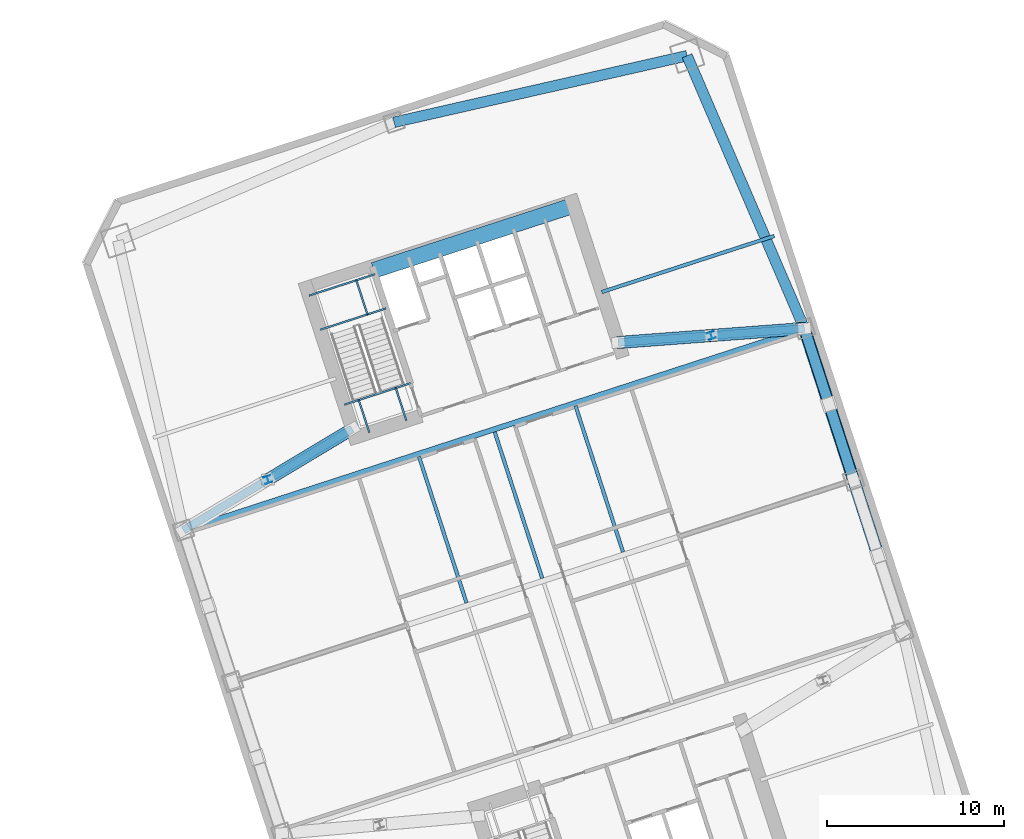
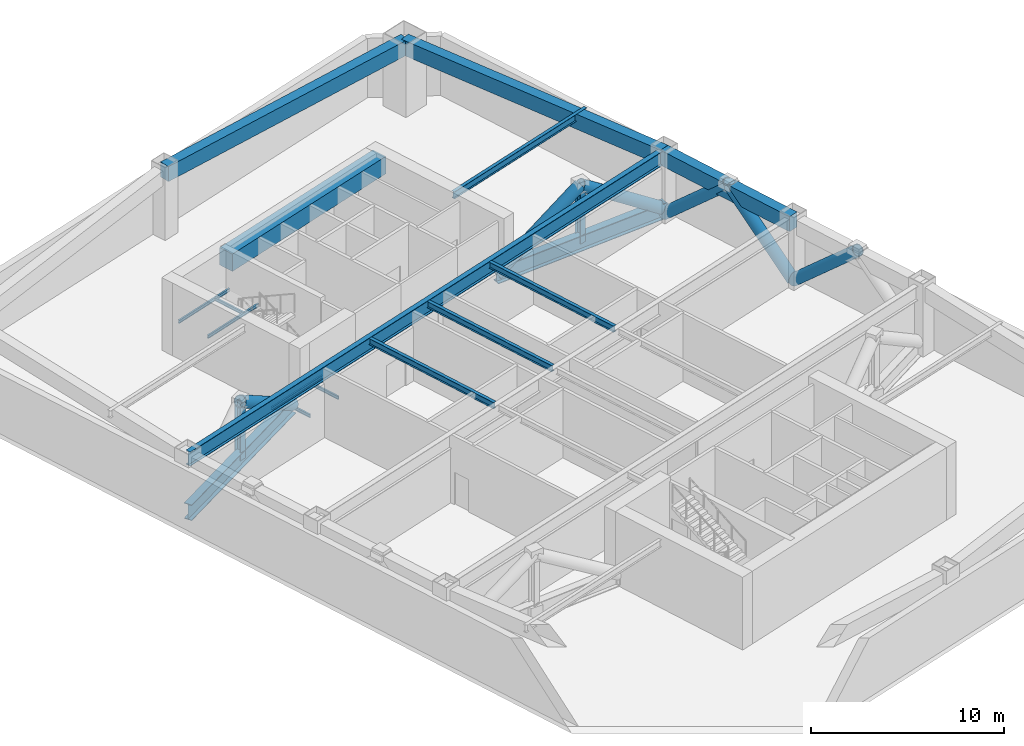
# One storey, part 7 of 16: 17 beams, 8 members.
"""IFC4 building model written with IfcOpenShell, lengths in metres."""

import ifcopenshell
import ifcopenshell.guid

model = None  # the IFC model being written
_history = None  # IfcOwnerHistory: only IFC2X3 demands one
_inside = {}  # id of a spatial element -> (the spatial element, [elements in it])
_under = {}  # id of a project, library or spatial element -> (it, [spatial elements below it])
_declared = {}  # id of a project -> (the project, [libraries it declares])
_typed = {}  # id of a type object -> (the type object, [elements of that type])
_made_of = {}  # id of a material, layer set ... -> (it, [elements and type objects made of it])


def new_model(schema):
    """Start an empty IFC model of exactly this schema.

    Asked for "IFC4X3", IfcOpenShell would pick the latest addendum, in which some entities
    have other attributes; the version numbers below select the first issue.
    IFC2X3 requires an IfcOwnerHistory on every rooted entity: one is made here for all.
    """
    global model, _history
    if schema == "IFC4X3":
        model = ifcopenshell.file(schema_version=(4, 3, 0, 0))
    else:
        model = ifcopenshell.file(schema=schema)
    _inside.clear()
    _under.clear()
    _declared.clear()
    _typed.clear()
    _made_of.clear()
    _history = None
    if model.schema == "IFC2X3":
        org = make("IfcOrganization", Name="unknown")
        user = make(
            "IfcPersonAndOrganization",
            ThePerson=make("IfcPerson", FamilyName="unknown"),
            TheOrganization=org,
        )
        app = make(
            "IfcApplication",
            ApplicationDeveloper=org,
            Version="unknown",
            ApplicationFullName="unknown",
            ApplicationIdentifier="unknown",
        )
        _history = make(
            "IfcOwnerHistory",
            OwningUser=user,
            OwningApplication=app,
            ChangeAction="ADDED",
            CreationDate=0,
        )
    return model


def make(cls, **values):
    """One entity of the class cls with the attributes given. An attribute that is None is left unset."""
    return model.create_entity(
        cls, **{name: value for name, value in values.items() if value is not None}
    )


def rooted(cls, **values):
    """An entity with a GlobalId (a new one), such as an element, a storey or a relation."""
    return make(cls, GlobalId=ifcopenshell.guid.new(), OwnerHistory=_history, **values)


def si_unit(unit_type, name, prefix=None):
    """IfcSIUnit, for example si_unit("LENGTHUNIT", "METRE", prefix="MILLI")."""
    return make("IfcSIUnit", UnitType=unit_type, Prefix=prefix, Name=name)


def assignment(units):
    """IfcUnitAssignment: the units of a project."""
    return None if units is None else make("IfcUnitAssignment", Units=units)


def point(xyz):
    """IfcCartesianPoint."""
    return None if xyz is None else make("IfcCartesianPoint", Coordinates=xyz)


def direction(xyz):
    """IfcDirection."""
    return None if xyz is None else make("IfcDirection", DirectionRatios=xyz)


def frame(location, z_axis=None, x_axis=None):
    """IfcAxis2Placement3D, a coordinate frame: its origin and axes. An axis left out is left unset."""
    return make(
        "IfcAxis2Placement3D",
        Location=point(location),
        Axis=direction(z_axis),
        RefDirection=direction(x_axis),
    )


def frame_2d(location, x_axis=None):
    """IfcAxis2Placement2D, a coordinate frame in the plane: its origin and x axis."""
    return make(
        "IfcAxis2Placement2D", Location=point(location), RefDirection=direction(x_axis)
    )


def origin():
    """The frame at (0, 0, 0) with its axes left unset."""
    return frame((0.0, 0.0, 0.0))


def origin_2d():
    """The frame at (0, 0) in the plane with its x axis left unset."""
    return frame_2d((0.0, 0.0))


def place(relative_to, where):
    """IfcLocalPlacement: puts the frame where relative to a parent placement (None: the world)."""
    return make(
        "IfcLocalPlacement", PlacementRelTo=relative_to, RelativePlacement=where
    )


def context(
    kind, dimensions, precision=None, world=None, true_north=None, identifier=None
):
    """IfcGeometricRepresentationContext, for example the 3D "Model" context."""
    return make(
        "IfcGeometricRepresentationContext",
        ContextIdentifier=identifier,
        ContextType=kind,
        CoordinateSpaceDimension=dimensions,
        Precision=precision,
        WorldCoordinateSystem=world,
        TrueNorth=true_north,
    )


def subcontext(parent, identifier, kind, view, scale=None):
    """IfcGeometricRepresentationSubContext, for example "Body" below "Model"."""
    return make(
        "IfcGeometricRepresentationSubContext",
        ContextIdentifier=identifier,
        ContextType=kind,
        ParentContext=parent,
        TargetScale=scale,
        TargetView=view,
    )


def project(units=None, contexts=None):
    """IfcProject with its units and contexts."""
    return rooted(
        "IfcProject",
        Name="project",
        RepresentationContexts=contexts,
        UnitsInContext=assignment(units),
    )


def spatial(cls, under=None, at=None, **own):
    """A site, building, storey or space (cls), placed at a placement, below another one or the project."""
    s = rooted(cls, ObjectPlacement=at, **own)
    if under is not None:
        _under.setdefault(under.id(), (under, []))[1].append(s)
    return s


def profile(cls, at=None, kind="AREA", **sizes):
    """A parametric profile (cls). Its sizes go by their IFC names, for example OverallWidth=200.0."""
    return make(cls, ProfileType=kind, Position=at, **sizes)


def rectangle(**sizes):
    """IfcRectangleProfileDef."""
    return profile("IfcRectangleProfileDef", **sizes)


def hollow_circle(**sizes):
    """IfcCircleHollowProfileDef."""
    return profile("IfcCircleHollowProfileDef", **sizes)


def i_section(**sizes):
    """IfcIShapeProfileDef."""
    return profile("IfcIShapeProfileDef", **sizes)


def extrude(swept, where, along, depth):
    """IfcExtrudedAreaSolid: the profile swept, set in the frame where, extruded along a direction by depth."""
    return make(
        "IfcExtrudedAreaSolid",
        SweptArea=swept,
        Position=where,
        ExtrudedDirection=direction(along),
        Depth=depth,
    )


def shape(context_of_items, identifier, shape_type, items):
    """IfcShapeRepresentation: the items that make up one representation, for example the "Body"."""
    return make(
        "IfcShapeRepresentation",
        ContextOfItems=context_of_items,
        RepresentationIdentifier=identifier,
        RepresentationType=shape_type,
        Items=items,
    )


def material(Name=None, Category=None):
    """IfcMaterial."""
    return make("IfcMaterial", Name=Name, Category=Category)


def material_profile(
    of_material, cross_section, Name=None, Category=None, Priority=None
):
    """IfcMaterialProfile: a cross section and its material."""
    return make(
        "IfcMaterialProfile",
        Name=Name,
        Material=of_material,
        Profile=cross_section,
        Priority=Priority,
        Category=Category,
    )


def profile_set(profiles, Name=None, composite=None):
    """IfcMaterialProfileSet."""
    return make(
        "IfcMaterialProfileSet",
        Name=Name,
        MaterialProfiles=profiles,
        CompositeProfile=composite,
    )


def made_of(thing, what):
    """Note that an element or type object is made of a material, layer set ...; save() writes the relation."""
    if what is not None:
        _made_of.setdefault(what.id(), (what, []))[1].append(thing)
    return thing


def type_object(cls, material=None, **own):
    """A type object (cls), such as IfcWallType, which elements share."""
    return made_of(rooted(cls, **own), material)


def element(
    cls,
    number,
    at=None,
    inside=None,
    cuts=None,
    type_object=None,
    material=None,
    context=None,
    identifier="Body",
    shape_type=None,
    held_by="IfcProductDefinitionShape",
    body=None,
    shapes=None,
    **own,
):
    """One element of the class cls, such as IfcWall. Its Tag is "e" and its number.

    at: its placement. inside: the storey or other place that contains it. cuts: it is an
    opening in that element (IfcRelVoidsElement). A single representation is given by context,
    identifier, shape_type and body (its items); several are given by shapes. held_by: the class
    of the entity that holds the representations. save() writes the other relations.
    """
    e = rooted(cls, Tag="e%d" % number, ObjectPlacement=at, **own)
    if body is not None:
        shapes = [shape(context, identifier, shape_type, body)]
    if shapes is not None:
        e.Representation = make(held_by, Representations=shapes)
    if inside is not None:
        _inside.setdefault(inside.id(), (inside, []))[1].append(e)
    if cuts is not None:
        rooted(
            "IfcRelVoidsElement", RelatingBuildingElement=cuts, RelatedOpeningElement=e
        )
    if type_object is not None:
        _typed.setdefault(type_object.id(), (type_object, []))[1].append(e)
    return made_of(e, material)


def aggregate(whole, parts):
    """IfcRelAggregates: a whole, such as a stair, and the parts it consists of."""
    return rooted("IfcRelAggregates", RelatingObject=whole, RelatedObjects=parts)


def save(model, path):
    """Write the relations noted so far, then the file.

    IfcRelAggregates (storeys below a building ...), IfcRelContainedInSpatialStructure (elements
    in a storey), IfcRelDefinesByType, IfcRelAssociatesMaterial and IfcRelDeclares: one each for
    every whole, place, type object, material and project.
    """
    for whole, parts in _under.values():
        aggregate(whole, parts)
    for where, things in _inside.values():
        rooted(
            "IfcRelContainedInSpatialStructure",
            RelatedElements=things,
            RelatingStructure=where,
        )
    for kind, things in _typed.values():
        rooted("IfcRelDefinesByType", RelatedObjects=things, RelatingType=kind)
    for what, things in _made_of.values():
        rooted("IfcRelAssociatesMaterial", RelatedObjects=things, RelatingMaterial=what)
    for by, libraries in _declared.values():
        rooted("IfcRelDeclares", RelatingContext=by, RelatedDefinitions=libraries)
    model.write(path)


model = new_model("IFC4")

# Units and contexts
model_context = context("Model", 3, precision=1e-05, world=origin(), true_north=direction((0.0, 1.0)))
body_context = subcontext(model_context, "Body", "Model", "MODEL_VIEW")
ifc_project = project(units=[si_unit("LENGTHUNIT", "METRE"), si_unit("AREAUNIT", "SQUARE_METRE"), si_unit("VOLUMEUNIT", "CUBIC_METRE"), si_unit("PLANEANGLEUNIT", "RADIAN"), si_unit("MASSUNIT", "GRAM", prefix="KILO")], contexts=[model_context])

# Site, building, storey
site_placement = place(None, origin())
site = spatial("IfcSite", under=ifc_project, at=site_placement, CompositionType="ELEMENT")
building_placement = place(site_placement, origin())
building = spatial("IfcBuilding", under=site, at=building_placement, Name="Qiaolan Cultural Towers", CompositionType="ELEMENT")
storey_placement = place(building_placement, frame((0.0, 0.0, 46.0)))
storey = spatial("IfcBuildingStorey", under=building, at=storey_placement, Name="L10", CompositionType="ELEMENT", Elevation=46.0)

# Beams
ifc_material_1 = material(Name="Steel Q390GJB", Category="steel")
ifc_material_profile_1 = material_profile(ifc_material_1, i_section(OverallWidth=0.449951171875, OverallDepth=1.0, WebThickness=0.02392578125, FlangeThickness=0.0400390625, at=origin_2d()), Name="BH1000x450x24x40")
ifc_profile_set_1 = profile_set([ifc_material_profile_1], Name="Steel Q390GJB")
beam_type_1 = type_object("IfcBeamType", Name="BM-BH1000x450x24x40", PredefinedType="BEAM", material=ifc_profile_set_1)
beam_1_placement = place(storey_placement, frame((79.21826171875, 42.588623046875, 0.5), z_axis=(-0.857388432464, -0.514669870769, 0.0), x_axis=(0.514669870769, -0.857388432464, 0.0)))
element("IfcBeam", 1, at=beam_1_placement, inside=storey, type_object=beam_type_1, Name="L10 T2 Outrigger Bottom Chord Girder WN", PredefinedType="BEAM", context=body_context, shape_type="SweptSolid", body=[
    extrude(i_section(OverallWidth=0.449951171875, OverallDepth=1.0, WebThickness=0.02392578125, FlangeThickness=0.0400390625, at=origin_2d()), origin(), (0.0, 0.0, 1.0), 11.13427734375),
])
beam_2_placement = place(storey_placement, frame((94.244873046875, 47.47119140625, 0.5), z_axis=(0.997194216495, 0.074857829173, 0.0), x_axis=(-0.074857829173, 0.997194216495, 0.0)))
element("IfcBeam", 2, at=beam_2_placement, inside=storey, type_object=beam_type_1, Name="L10 T2 Outrigger Bottom Chord Girder EN", PredefinedType="BEAM", context=body_context, shape_type="SweptSolid", body=[
    extrude(i_section(OverallWidth=0.449951171875, OverallDepth=1.0, WebThickness=0.02392578125, FlangeThickness=0.0400390625, at=origin_2d()), origin(), (0.0, 0.0, 1.0), 10.550537109375),
])
ifc_material_2 = material(Name="Steel Q355B", Category="steel")
ifc_material_profile_2 = material_profile(ifc_material_2, i_section(OverallWidth=0.300048828125, OverallDepth=0.89990234375, WebThickness=0.01611328125, FlangeThickness=0.028076171875, at=origin_2d()), Name="HN900x300x16x28")
ifc_profile_set_2 = profile_set([ifc_material_profile_2], Name="Steel Q355B")
beam_type_2 = type_object("IfcBeamType", Name="BM-HN900x300x16x28", PredefinedType="BEAM", material=ifc_profile_set_2)
beam_3_placement = place(storey_placement, frame((69.671875, 36.858154296875, 3.889892578125), z_axis=(0.951055702987, 0.309019497469, 0.0), x_axis=(-0.309019497469, 0.951055702987, 0.0)))
element("IfcBeam", 3, at=beam_3_placement, inside=storey, type_object=beam_type_2, Name="L10 T2 Primary Transverse Girder V3", PredefinedType="BEAM", context=body_context, shape_type="SweptSolid", body=[
    extrude(i_section(OverallWidth=0.300048828125, OverallDepth=0.89990234375, WebThickness=0.01611328125, FlangeThickness=0.028076171875, at=origin_2d()), origin(), (0.0, 0.0, 1.0), 36.900146484375),
])
ifc_material_3 = material(Name="Steel Q355B", Category="steel")
ifc_material_profile_3 = material_profile(ifc_material_3, i_section(OverallWidth=0.199951171875, OverallDepth=0.39990234375, WebThickness=0.008056640625, FlangeThickness=0.012939453125, at=origin_2d()), Name="HN400x200x8x13")
ifc_profile_set_3 = profile_set([ifc_material_profile_3], Name="Steel Q355B")
beam_type_3 = type_object("IfcBeamType", Name="BM-JST-HN400x200x8x13", PredefinedType="JOIST", material=ifc_profile_set_3)
for number, where, z_axis, x_axis, name in (
    (4, (85.673828125, 32.752197265625, 4.139892578125), (-0.309020714809, 0.951055307445, 0.0), (-0.951055307445, -0.309020714809, 0.0), "L10 T2 Secondary Floor Joist U1-3"),
    (5, (89.95361328125, 34.142578125, 4.139892578125), (-0.309020714809, 0.951055307445, 0.0), (-0.951055307445, -0.309020714809, 0.0), "L10 T2 Secondary Floor Joist U2-3"),
    (6, (94.518798828125, 35.6259765625, 4.139892578125), (-0.309020714809, 0.951055307445, 0.0), (-0.951055307445, -0.309020714809, 0.0), "L10 T2 Secondary Floor Joist U3-3"),
):
    element("IfcBeam", number, at=place(storey_placement, frame(where, z_axis=z_axis, x_axis=x_axis)), inside=storey, type_object=beam_type_3, Name=name, PredefinedType="JOIST", context=body_context, shape_type="SweptSolid", body=[
        extrude(i_section(OverallWidth=0.199951171875, OverallDepth=0.39990234375, WebThickness=0.008056640625, FlangeThickness=0.012939453125, at=origin_2d()), origin(), (0.0, 0.0, 1.0), 8.699951171875),
    ])
ifc_material_4 = material(Name="Steel Q355B", Category="steel")
ifc_material_profile_4 = material_profile(ifc_material_4, i_section(OverallWidth=0.199951171875, OverallDepth=0.449951171875, WebThickness=0.009033203125, FlangeThickness=0.013916015625, at=origin_2d()), Name="HN450x200x9x14")
ifc_profile_set_4 = profile_set([ifc_material_profile_4], Name="Steel Q355B")
beam_type_4 = type_object("IfcBeamType", Name="BM-LNT-HN450x200x9x14", PredefinedType="LINTEL", material=ifc_profile_set_4)
beam_4_placement = place(storey_placement, frame((93.31787109375, 50.32421875, 4.114990234375), z_axis=(0.951054546097, 0.309023057955, 0.0), x_axis=(-0.309023057955, 0.951054546097, 0.0)))
element("IfcBeam", 7, at=beam_4_placement, inside=storey, type_object=beam_type_4, Name="L10 T2 Core Flank Tie Lintel EN", PredefinedType="LINTEL", context=body_context, shape_type="SweptSolid", body=[
    extrude(i_section(OverallWidth=0.199951171875, OverallDepth=0.449951171875, WebThickness=0.009033203125, FlangeThickness=0.013916015625, at=origin_2d()), origin(), (0.0, 0.0, 1.0), 10.25),
])
ifc_material_5 = material(Name="Concrete C50", Category="concrete")
ifc_material_profile_5 = material_profile(ifc_material_5, rectangle(XDim=0.89990234375, YDim=1.10009765625, at=origin_2d()), Name="RC900x1100")
ifc_profile_set_5 = profile_set([ifc_material_profile_5], Name="Concrete C50")
beam_type_5 = type_object("IfcBeamType", Name="BM-RC900x1100", PredefinedType="BEAM", material=ifc_profile_set_5)
beam_5_placement = place(storey_placement, frame((80.427978515625, 51.551025390625, 3.7900390625), z_axis=(0.951056266386, 0.309017763514, 0.0), x_axis=(-0.309017763514, 0.951056266386, 0.0)))
element("IfcBeam", 8, at=beam_5_placement, inside=storey, type_object=beam_type_5, Name="L10 T2 Core Header Girder N", PredefinedType="BEAM", context=body_context, shape_type="SweptSolid", body=[
    extrude(rectangle(XDim=0.89990234375, YDim=1.10009765625, at=origin_2d()), origin(), (0.0, 0.0, 1.0), 11.880126953125),
])
ifc_material_6 = material(Name="Concrete C50", Category="concrete")
ifc_material_profile_6 = material_profile(ifc_material_6, rectangle(XDim=0.60009765625, YDim=0.949951171875, at=origin_2d()), Name="RC600x950")
ifc_profile_set_6 = profile_set([ifc_material_profile_6], Name="Concrete C50")
beam_type_6 = type_object("IfcBeamType", Name="BM-SPD-RC600x950", PredefinedType="SPANDREL", material=ifc_profile_set_6)
beam_6_placement = place(storey_placement, frame((107.546875, 39.701416015625, 3.864990234375), z_axis=(-0.309000197986, 0.951061973609, 0.0), x_axis=(-0.951061973609, -0.309000197986, 0.0)))
element("IfcBeam", 9, at=beam_6_placement, inside=storey, type_object=beam_type_6, Name="L10 T2 Perimeter Spandrel Beam 5", PredefinedType="SPANDREL", context=body_context, shape_type="SweptSolid", body=[
    extrude(rectangle(XDim=0.60009765625, YDim=0.949951171875, at=origin_2d()), origin(), (0.0, 0.0, 1.0), 9.0),
])
beam_7_placement = place(storey_placement, frame((104.765869140625, 48.260986328125, 3.864990234375), z_axis=(-0.394998896054, 0.918681594524, 0.0), x_axis=(-0.918681594524, -0.394998896054, 0.0)))
element("IfcBeam", 10, at=beam_7_placement, inside=storey, type_object=beam_type_6, Name="L10 T2 Perimeter Spandrel Beam 6", PredefinedType="SPANDREL", context=body_context, shape_type="SweptSolid", body=[
    extrude(rectangle(XDim=0.60009765625, YDim=0.949951171875, at=origin_2d()), origin(), (0.0, 0.0, 1.0), 16.78076171875),
])
beam_8_placement = place(storey_placement, frame((98.137451171875, 63.67724609375, 3.864990234375), z_axis=(-0.975161095889, -0.221496810506, 0.0), x_axis=(0.221496810506, -0.975161095889, 0.0)))
element("IfcBeam", 11, at=beam_8_placement, inside=storey, type_object=beam_type_6, Name="L10 T2 Perimeter Spandrel Beam 7", PredefinedType="SPANDREL", context=body_context, shape_type="SweptSolid", body=[
    extrude(rectangle(XDim=0.60009765625, YDim=0.949951171875, at=origin_2d()), origin(), (0.0, 0.0, 1.0), 16.97998046875),
])
ifc_material_7 = material(Name="Steel Q355B", Category="steel")
ifc_material_profile_7 = material_profile(ifc_material_7, i_section(OverallWidth=0.10009765625, OverallDepth=0.199951171875, WebThickness=0.005615234375, FlangeThickness=0.008056640625, at=origin_2d()), Name="HN200x100x5.5x8")
ifc_profile_set_7 = profile_set([ifc_material_profile_7], Name="Steel Q355B")
beam_type_7 = type_object("IfcBeamType", Name="BM-STTRIM-200", PredefinedType="BEAM", material=ifc_profile_set_7)
beam_9_placement = place(storey_placement, frame((78.773193359375, 43.958251953125, -0.4599609375), z_axis=(0.951072048947, 0.3089691857, 0.0), x_axis=(-0.3089691857, 0.951072048947, 0.0)))
element("IfcBeam", 12, at=beam_9_placement, inside=storey, type_object=beam_type_7, Name="L10 ST-E2 Floor Landing Header Beam", PredefinedType="BEAM", context=body_context, shape_type="SweptSolid", body=[
    extrude(i_section(OverallWidth=0.10009765625, OverallDepth=0.199951171875, WebThickness=0.005615234375, FlangeThickness=0.008056640625, at=origin_2d()), origin(), (0.0, 0.0, 1.0), 3.920166015625),
])
for number, where, z_axis, x_axis, name in (
    (13, (80.18115234375, 42.375732421875, -0.4599609375), (-0.308969394428, 0.951071981138, 0.0), (-0.951071981138, -0.308969394428, 0.0), "L10 ST-E2 Floor Landing Stringer 1"),
    (14, (82.2734375, 43.0556640625, -0.4599609375), (-0.308969394428, 0.951071981138, 0.0), (-0.951071981138, -0.308969394428, 0.0), "L10 ST-E2 Floor Landing Stringer 2"),
):
    element("IfcBeam", number, at=place(storey_placement, frame(where, z_axis=z_axis, x_axis=x_axis)), inside=storey, type_object=beam_type_7, Name=name, PredefinedType="BEAM", context=body_context, shape_type="SweptSolid", body=[
        extrude(i_section(OverallWidth=0.10009765625, OverallDepth=0.199951171875, WebThickness=0.005615234375, FlangeThickness=0.008056640625, at=origin_2d()), origin(), (0.0, 0.0, 1.0), 1.93994140625),
    ])
beam_10_placement = place(storey_placement, frame((77.398681640625, 48.189208984375, 2.0), z_axis=(0.951066103084, 0.308987487715, 0.0), x_axis=(-0.308987487715, 0.951066103084, 0.0)))
element("IfcBeam", 15, at=beam_10_placement, inside=storey, type_object=beam_type_7, Name="L10 ST-E2 Stair Landing Support Beam 1-1", PredefinedType="BEAM", context=body_context, shape_type="SweptSolid", body=[
    extrude(i_section(OverallWidth=0.10009765625, OverallDepth=0.199951171875, WebThickness=0.005615234375, FlangeThickness=0.008056640625, at=origin_2d()), origin(), (0.0, 0.0, 1.0), 3.919921875),
])
beam_11_placement = place(storey_placement, frame((76.770751953125, 50.12109375, 2.0), z_axis=(0.951072048947, 0.3089691857, 0.0), x_axis=(-0.3089691857, 0.951072048947, 0.0)))
element("IfcBeam", 16, at=beam_11_placement, inside=storey, type_object=beam_type_7, Name="L10 ST-E2 Stair Landing Support Beam 1-2", PredefinedType="BEAM", context=body_context, shape_type="SweptSolid", body=[
    extrude(i_section(OverallWidth=0.10009765625, OverallDepth=0.199951171875, WebThickness=0.005615234375, FlangeThickness=0.008056640625, at=origin_2d()), origin(), (0.0, 0.0, 1.0), 3.920166015625),
])
beam_12_placement = place(storey_placement, frame((80.071044921875, 49.057373046875, 2.0), z_axis=(-0.309007258476, 0.951059679626, 0.0), x_axis=(-0.951059679626, -0.309007258476, 0.0)))
element("IfcBeam", 17, at=beam_12_placement, inside=storey, type_object=beam_type_7, Name="L10 ST-E2 Stair Landing Trimmer 1", PredefinedType="BEAM", context=body_context, shape_type="SweptSolid", body=[
    extrude(i_section(OverallWidth=0.10009765625, OverallDepth=0.199951171875, WebThickness=0.005615234375, FlangeThickness=0.008056640625, at=origin_2d()), origin(), (0.0, 0.0, 1.0), 2.03125),
])

# Members
ifc_material_8 = material(Name="Steel Q355B", Category="steel")
ifc_material_profile_8 = material_profile(ifc_material_8, hollow_circle(Radius=0.35009765625, WallThickness=0.034912109375, at=origin_2d()), Name="CHS700x35")
ifc_profile_set_8 = profile_set([ifc_material_profile_8], Name="Steel Q355B")
member_type_1 = type_object("IfcMemberType", Name="MBR-BRC-CHS700x35", PredefinedType="BRACE", material=ifc_profile_set_8)
member_placement = place(storey_placement, frame((79.21826171875, 42.588623046875, 0.5), z_axis=(-0.721145479793, -0.432886468766, 0.540886773857), x_axis=(0.514669870769, -0.857388432464, 0.0)))
element("IfcMember", 18, at=member_placement, inside=storey, type_object=member_type_1, Name="L10 T2 Outrigger Truss Diagonal WN-1", PredefinedType="BRACE", context=body_context, shape_type="SweptSolid", body=[
    extrude(hollow_circle(Radius=0.35009765625, WallThickness=0.034912109375, at=origin_2d()), origin(), (0.0, 0.0, 1.0), 6.618896484375),
])
for number, where, z_axis, x_axis, name in (
    (19, (94.244873046875, 47.47119140625, 0.5), (0.825125188179, 0.061921725961, 0.561546190163), (-0.074834818804, 0.997195943581, 0.0), "L10 T2 Outrigger Truss Diagonal EN-1"),
    (20, (99.50537109375, 47.865966796875, 4.080078125), (0.825123231008, 0.061959873197, -0.561544858194), (-0.074880839421, 0.997192488884, 0.0), "L10 T2 Outrigger Truss Diagonal EN-2"),
):
    element("IfcMember", number, at=place(storey_placement, frame(where, z_axis=z_axis, x_axis=x_axis)), inside=storey, type_object=member_type_1, Name=name, PredefinedType="BRACE", context=body_context, shape_type="SweptSolid", body=[
        extrude(hollow_circle(Radius=0.35009765625, WallThickness=0.034912109375, at=origin_2d()), origin(), (0.0, 0.0, 1.0), 6.37548828125),
    ])
for number, where, z_axis, x_axis, name in (
    (21, (108.9375, 35.421630859375, 4.179931640625), (-0.231479598497, 0.712401222199, -0.662496561568), (-0.951054001411, -0.309024734286, 0.0), "L10 T2 Perimeter Belt Truss E1-B"),
    (22, (107.546875, 39.701416015625, 0.199951171875), (-0.23144113653, 0.71240792333, 0.662502793276), (-0.951069945308, -0.308975661068, 0.0), "L10 T2 Perimeter Belt Truss E2-A"),
    (23, (106.156494140625, 43.981201171875, 4.179931640625), (-0.231479598497, 0.712401222199, -0.662496561568), (-0.951054001411, -0.309024734286, 0.0), "L10 T2 Perimeter Belt Truss E2-B"),
):
    element("IfcMember", number, at=place(storey_placement, frame(where, z_axis=z_axis, x_axis=x_axis)), inside=storey, type_object=member_type_1, Name=name, PredefinedType="BRACE", context=body_context, shape_type="SweptSolid", body=[
        extrude(hollow_circle(Radius=0.35009765625, WallThickness=0.034912109375, at=origin_2d()), origin(), (0.0, 0.0, 1.0), 6.007568359375),
    ])
ifc_material_9 = material(Name="Steel Q355B", Category="steel")
ifc_material_profile_9 = material_profile(ifc_material_9, i_section(OverallWidth=0.39990234375, OverallDepth=0.39990234375, WebThickness=0.012939453125, FlangeThickness=0.02099609375, at=origin_2d()), Name="HW400x400x13x21")
ifc_profile_set_9 = profile_set([ifc_material_profile_9], Name="Steel Q355B")
member_type_2 = type_object("IfcMemberType", Name="MBR-POST-HW400x400x13x21", PredefinedType="STUD", material=ifc_profile_set_9)
for number, where, z_axis, x_axis, name in (
    (24, (74.445068359375, 39.723388671875, 0.5), (0.0, 0.0, 1.0), (0.951056516295, 0.309016994375, 0.0), "L10 T2 Outrigger King Web WN"),
    (25, (99.50537109375, 47.865966796875, 0.5), (0.0, 0.0, 1.0), (0.951056516295, 0.309016994375, 0.0), "L10 T2 Outrigger King Web EN"),
):
    element("IfcMember", number, at=place(storey_placement, frame(where, z_axis=z_axis, x_axis=x_axis)), inside=storey, type_object=member_type_2, Name=name, PredefinedType="STUD", context=body_context, shape_type="SweptSolid", body=[
        extrude(i_section(OverallWidth=0.39990234375, OverallDepth=0.39990234375, WebThickness=0.012939453125, FlangeThickness=0.02099609375, at=origin_2d()), origin(), (0.0, 0.0, 1.0), 3.580078125),
    ])

save(model, "model.ifc")
